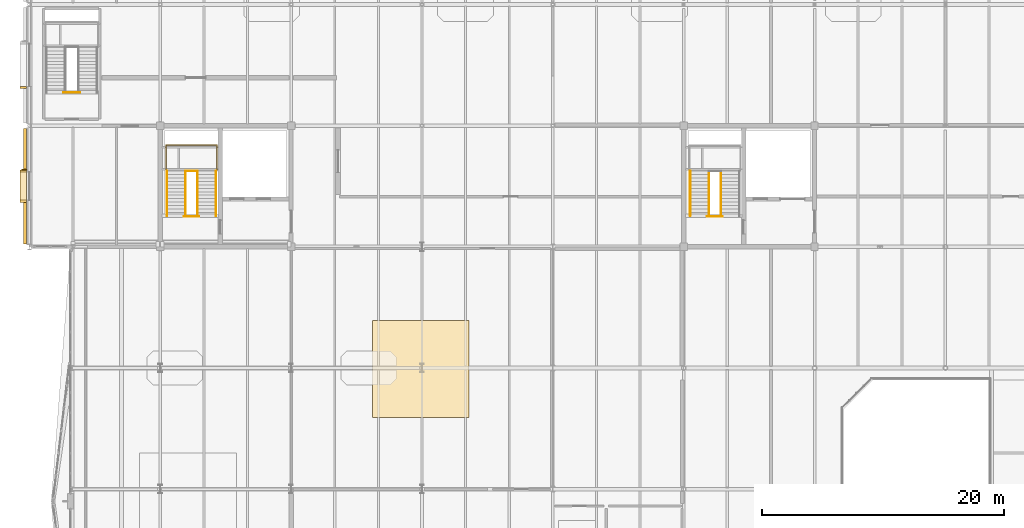
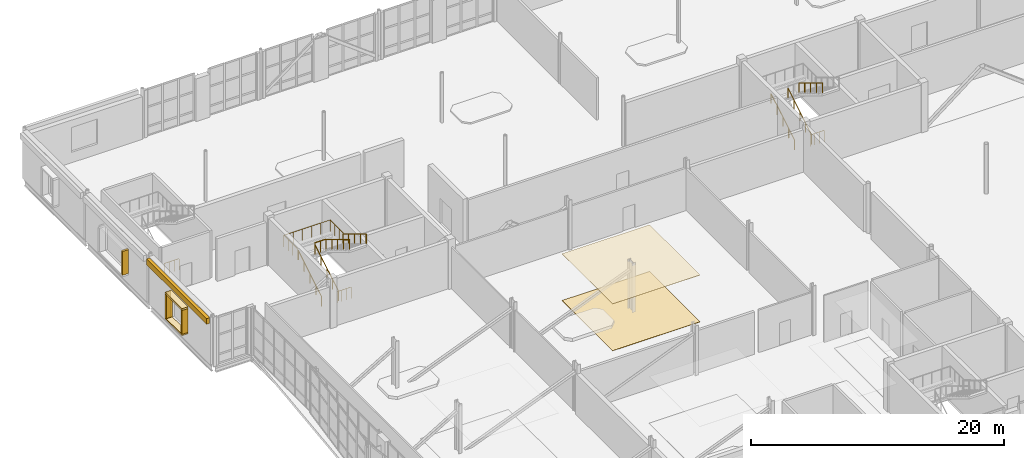
# One storey, part 96 of 100: 12 railings, 8 coverings, 1 shading device.
"""IFC4 building model written with IfcOpenShell, lengths in metres."""

from ifc_helpers import new_model, si_unit, direction, frame, origin, origin_2d, place, context, subcontext, project, spatial, rectangle, circle, extrude, material, layer, layer_set, type_object, element, save


model = new_model("IFC4")

# Units and contexts
model_context = context("Model", 3, precision=1e-05, world=origin(), true_north=direction((0.0, 1.0)))
body_context = subcontext(model_context, "Body", "Model", "MODEL_VIEW")
ifc_project = project(units=[si_unit("LENGTHUNIT", "METRE"), si_unit("AREAUNIT", "SQUARE_METRE"), si_unit("VOLUMEUNIT", "CUBIC_METRE"), si_unit("PLANEANGLEUNIT", "RADIAN"), si_unit("MASSUNIT", "GRAM", prefix="KILO")], contexts=[model_context])

# Site, building, storey
site_placement = place(None, origin())
site = spatial("IfcSite", under=ifc_project, at=site_placement, CompositionType="ELEMENT")
building_placement = place(site_placement, origin())
building = spatial("IfcBuilding", under=site, at=building_placement, Name="Tasgan Crest Museum", CompositionType="ELEMENT")
storey_placement = place(building_placement, frame((0.0, 0.0, 9.60009765625)))
storey = spatial("IfcBuildingStorey", under=building, at=storey_placement, Name="L02", CompositionType="ELEMENT", Elevation=9.60009765625)

# Coverings
ifc_material_1 = material(Name="Perforated Gypsum Acoustic Ceiling")
ifc_layer_1 = layer(ifc_material_1, 0.034912109375, Name="COV-CEIL-ACOUST")
ifc_layer_set_1 = layer_set([ifc_layer_1], Name="Perforated Gypsum Acoustic Ceiling")
covering_type_1 = type_object("IfcCoveringType", Name="COV-CEIL-ACOUST", PredefinedType="CEILING", material=ifc_layer_set_1)
covering_1_placement = place(storey_placement, frame((32.300048828125, 71.89990234375, 4.5048828125), z_axis=(0.0, 0.0, 1.0), x_axis=(1.0, 0.0, 0.0)))
element("IfcCovering", 1, at=covering_1_placement, inside=storey, type_object=covering_type_1, Name="Sauropod Footprint Fossil Gallery acoustic ceiling", PredefinedType="CEILING", context=body_context, shape_type="SweptSolid", body=[
    extrude(rectangle(XDim=8.0, YDim=8.0, at=origin_2d()), origin(), (0.0, 0.0, 1.0), 0.034912109375),
])
ifc_material_2 = material(Name="Engineered Steppe Oak Parquet")
ifc_layer_2 = layer(ifc_material_2, 0.02490234375, Name="COV-FLOOR-OAK")
ifc_layer_set_2 = layer_set([ifc_layer_2], Name="Engineered Steppe Oak Parquet")
covering_type_2 = type_object("IfcCoveringType", Name="COV-FLOOR-OAK", PredefinedType="FLOORING", material=ifc_layer_set_2)
covering_2_placement = place(storey_placement, frame((32.300048828125, 71.89990234375, 0.0), z_axis=(0.0, 0.0, 1.0), x_axis=(1.0, 0.0, 0.0)))
element("IfcCovering", 2, at=covering_2_placement, inside=storey, type_object=covering_type_2, Name="Sauropod Footprint Fossil Gallery floor finish", PredefinedType="FLOORING", context=body_context, shape_type="SweptSolid", body=[
    extrude(rectangle(XDim=8.0, YDim=8.0, at=origin_2d()), origin(), (0.0, 0.0, 1.0), 0.02490234375),
])
ifc_material_3 = material(Name="Honed Rose-Red Mongolian Granite", Category="masonry")
ifc_layer_3 = layer(ifc_material_3, 0.0400390625, Name="COV-GRANITE-ROSE")
ifc_layer_set_3 = layer_set([ifc_layer_3], Name="Honed Rose-Red Mongolian Granite")
covering_type_3 = type_object("IfcCoveringType", Name="COV-GRANITE-ROSE", PredefinedType="CLADDING", material=ifc_layer_set_3)
for number, where, z_axis, x_axis, name in (
    (3, (-0.5, 95.159912109375, 1.0), (0.0, 0.0, 1.0), (0.0, -1.0, 0.0), "Deep window reveal jamb L02-046"),
    (4, (-0.5, 88.24609375, 1.0), (0.0, 0.0, 1.0), (0.0, -1.0, 0.0), "Deep window reveal jamb L02-047"),
    (5, (-0.5, 85.76611328125, 1.0), (0.0, 0.0, 1.0), (0.0, -1.0, 0.0), "Deep window reveal jamb L02-047"),
):
    element("IfcCovering", number, at=place(storey_placement, frame(where, z_axis=z_axis, x_axis=x_axis)), inside=storey, type_object=covering_type_3, Name=name, PredefinedType="CLADDING", context=body_context, shape_type="SweptSolid", body=[
        extrude(rectangle(XDim=0.179931640625, YDim=0.550048828125, at=origin_2d()), origin(), (0.0, 0.0, 1.0), 2.300048828125),
    ])
ifc_material_4 = material(Name="Honed Buff Limestone", Category="masonry")
ifc_layer_4 = layer(ifc_material_4, 0.044921875, Name="COV-LIMESTONE-BUFF")
ifc_layer_set_4 = layer_set([ifc_layer_4], Name="Honed Buff Limestone")
covering_type_4 = type_object("IfcCoveringType", Name="COV-LIMESTONE-BUFF", PredefinedType="CLADDING", material=ifc_layer_set_4)
covering_3_placement = place(storey_placement, frame((-0.364990234375, 87.0, 3.9599609375), z_axis=(0.0, 0.0, 1.0), x_axis=(0.0, -1.0, 0.0)))
element("IfcCovering", 6, at=covering_3_placement, inside=storey, type_object=covering_type_4, Name="Stone frieze cladding L02", PredefinedType="CLADDING", context=body_context, shape_type="SweptSolid", body=[
    extrude(rectangle(XDim=9.5224609375, YDim=0.280029296875, at=origin_2d()), origin(), (0.0, 0.0, 1.0), 0.550048828125),
])
covering_4_placement = place(storey_placement, frame((-0.5, 87.006103515625, 3.2998046875), z_axis=(0.0, 0.0, 1.0), x_axis=(0.0, -1.0, 0.0)))
element("IfcCovering", 7, at=covering_4_placement, inside=storey, type_object=covering_type_4, Name="Deep window hood L02-047", PredefinedType="CLADDING", context=body_context, shape_type="SweptSolid", body=[
    extrude(rectangle(XDim=2.659912109375, YDim=0.550048828125, at=origin_2d()), origin(), (0.0, 0.0, 1.0), 0.179931640625),
])
covering_5_placement = place(storey_placement, frame((-0.5, 87.006103515625, 0.85986328125), z_axis=(0.0, 0.0, 1.0), x_axis=(0.0, -1.0, 0.0)))
element("IfcCovering", 8, at=covering_5_placement, inside=storey, type_object=covering_type_4, Name="Deep window sill L02-047", PredefinedType="CLADDING", context=body_context, shape_type="SweptSolid", body=[
    extrude(rectangle(XDim=2.659912109375, YDim=0.550048828125, at=origin_2d()), origin(), (0.0, 0.0, 1.0), 0.139892578125),
])

# Railings
ifc_material_5 = material(Name="Brushed Bronze and Toughened Glass", Category="glass")
railing_type_1 = type_object("IfcRailingType", Name="RL-INT-GUARD-1120", PredefinedType="GUARDRAIL", material=ifc_material_5)
railing_1_placement = place(storey_placement, frame((12.739990234375, 84.52001953125, 0.0)))
element("IfcRailing", 9, at=railing_1_placement, inside=storey, type_object=railing_type_1, Name="North-West Gallery Core floor slot guard L02", PredefinedType="GUARDRAIL", context=body_context, shape_type="SweptSolid", body=[
    extrude(circle(Radius=0.02392578125, at=origin_2d()), frame((0.0, 0.0, 1.09619140625), z_axis=(1.0, 0.0, 0.0), x_axis=(0.0, 1.0, 0.0)), (0.0, 0.0, 1.0), 1.27001953125),
    extrude(circle(Radius=0.02099609375, at=origin_2d()), origin(), (0.0, 0.0, 1.0), 1.072021484375),
    extrude(circle(Radius=0.02099609375, at=origin_2d()), frame((0.42333984375, 0.0, 0.0)), (0.0, 0.0, 1.0), 1.072021484375),
    extrude(circle(Radius=0.02099609375, at=origin_2d()), frame((0.8466796875, 0.0, 0.0)), (0.0, 0.0, 1.0), 1.072021484375),
    extrude(circle(Radius=0.02099609375, at=origin_2d()), frame((1.27001953125, 0.0, 0.0)), (0.0, 0.0, 1.0), 1.072021484375),
])
railing_2_placement = place(storey_placement, frame((12.8798828125, 88.27490234375, 2.39990234375)))
element("IfcRailing", 10, at=railing_2_placement, inside=storey, type_object=railing_type_1, Name="Stair half-landing well guard ST-NW-L02 T1", PredefinedType="GUARDRAIL", context=body_context, shape_type="SweptSolid", body=[
    extrude(circle(Radius=0.02392578125, at=origin_2d()), frame((0.0, 0.0, 1.09619140625), z_axis=(1.0, 0.0, 0.0), x_axis=(0.0, 1.0, 0.0)), (0.0, 0.0, 1.0), 0.990234375),
    extrude(circle(Radius=0.02099609375, at=origin_2d()), origin(), (0.0, 0.0, 1.0), 1.072021484375),
    extrude(circle(Radius=0.02099609375, at=origin_2d()), frame((0.4951171875, 0.0, 0.0)), (0.0, 0.0, 1.0), 1.072021484375),
    extrude(circle(Radius=0.02099609375, at=origin_2d()), frame((0.990234375, 0.0, 0.0)), (0.0, 0.0, 1.0), 1.072021484375),
])
railing_3_placement = place(storey_placement, frame((11.260009765625, 88.294921875, 2.39990234375)))
element("IfcRailing", 11, at=railing_3_placement, inside=storey, type_object=railing_type_1, Name="Stair half-landing perimeter guard ST-NW-L02 T1", PredefinedType="GUARDRAIL", context=body_context, shape_type="SweptSolid", body=[
    extrude(circle(Radius=0.02392578125, at=origin_2d()), frame((0.0, 0.0, 1.09619140625), z_axis=(0.0, 1.0, 0.0), x_axis=(-1.0, 0.0, 0.0)), (0.0, 0.0, 1.0), 2.10009765625),
    extrude(circle(Radius=0.02392578125, at=origin_2d()), frame((0.0, 2.10009765625, 1.09619140625), z_axis=(1.0, 0.0, 0.0), x_axis=(0.0, 1.0, 0.0)), (0.0, 0.0, 1.0), 4.22998046875),
    extrude(circle(Radius=0.02392578125, at=origin_2d()), frame((4.22998046875, 2.10009765625, 1.09619140625), z_axis=(0.0, -1.0, 0.0), x_axis=(1.0, 0.0, 0.0)), (0.0, 0.0, 1.0), 2.10009765625),
    extrude(circle(Radius=0.02099609375, at=origin_2d()), origin(), (0.0, 0.0, 1.0), 1.072021484375),
    extrude(circle(Radius=0.02099609375, at=origin_2d()), frame((0.0, 0.699951171875, 0.0)), (0.0, 0.0, 1.0), 1.072021484375),
    extrude(circle(Radius=0.02099609375, at=origin_2d()), frame((0.0, 1.400146484375, 0.0)), (0.0, 0.0, 1.0), 1.072021484375),
    extrude(circle(Radius=0.02099609375, at=origin_2d()), frame((0.0, 2.10009765625, 0.0)), (0.0, 0.0, 1.0), 1.072021484375),
    extrude(circle(Radius=0.02099609375, at=origin_2d()), frame((0.845947265625, 2.10009765625, 0.0)), (0.0, 0.0, 1.0), 1.072021484375),
    extrude(circle(Radius=0.02099609375, at=origin_2d()), frame((1.69189453125, 2.10009765625, 0.0)), (0.0, 0.0, 1.0), 1.072021484375),
    extrude(circle(Radius=0.02099609375, at=origin_2d()), frame((2.5380859375, 2.10009765625, 0.0)), (0.0, 0.0, 1.0), 1.072021484375),
    extrude(circle(Radius=0.02099609375, at=origin_2d()), frame((3.384033203125, 2.10009765625, 0.0)), (0.0, 0.0, 1.0), 1.072021484375),
    extrude(circle(Radius=0.02099609375, at=origin_2d()), frame((4.22998046875, 2.10009765625, 0.0)), (0.0, 0.0, 1.0), 1.072021484375),
    extrude(circle(Radius=0.02099609375, at=origin_2d()), frame((4.22998046875, 1.400146484375, 0.0)), (0.0, 0.0, 1.0), 1.072021484375),
    extrude(circle(Radius=0.02099609375, at=origin_2d()), frame((4.22998046875, 0.699951171875, 0.0)), (0.0, 0.0, 1.0), 1.072021484375),
    extrude(circle(Radius=0.02099609375, at=origin_2d()), frame((4.22998046875, 0.0, 0.0)), (0.0, 0.0, 1.0), 1.072021484375),
])
railing_4_placement = place(storey_placement, frame((55.93994140625, 84.52001953125, 0.0)))
element("IfcRailing", 12, at=railing_4_placement, inside=storey, type_object=railing_type_1, Name="North-Central Sawtooth Core floor slot guard L02", PredefinedType="GUARDRAIL", context=body_context, shape_type="SweptSolid", body=[
    extrude(circle(Radius=0.02392578125, at=origin_2d()), frame((0.0, 0.0, 1.09619140625), z_axis=(1.0, 0.0, 0.0), x_axis=(0.0, 1.0, 0.0)), (0.0, 0.0, 1.0), 1.27001953125),
    extrude(circle(Radius=0.02099609375, at=origin_2d()), origin(), (0.0, 0.0, 1.0), 1.072021484375),
    extrude(circle(Radius=0.02099609375, at=origin_2d()), frame((0.42333984375, 0.0, 0.0)), (0.0, 0.0, 1.0), 1.072021484375),
    extrude(circle(Radius=0.02099609375, at=origin_2d()), frame((0.8466796875, 0.0, 0.0)), (0.0, 0.0, 1.0), 1.072021484375),
    extrude(circle(Radius=0.02099609375, at=origin_2d()), frame((1.27001953125, 0.0, 0.0)), (0.0, 0.0, 1.0), 1.072021484375),
])
railing_5_placement = place(storey_placement, frame((2.820068359375, 94.719970703125, 0.0)))
element("IfcRailing", 13, at=railing_5_placement, inside=storey, type_object=railing_type_1, Name="GALW floor slot guard L02", PredefinedType="GUARDRAIL", context=body_context, shape_type="SweptSolid", body=[
    extrude(circle(Radius=0.02392578125, at=origin_2d()), frame((0.0, 0.0, 1.09619140625), z_axis=(1.0, 0.0, 0.0), x_axis=(0.0, 1.0, 0.0)), (0.0, 0.0, 1.0), 1.35986328125),
    extrude(circle(Radius=0.02099609375, at=origin_2d()), origin(), (0.0, 0.0, 1.0), 1.072021484375),
    extrude(circle(Radius=0.02099609375, at=origin_2d()), frame((0.453369140625, 0.0, 0.0)), (0.0, 0.0, 1.0), 1.072021484375),
    extrude(circle(Radius=0.02099609375, at=origin_2d()), frame((0.906494140625, 0.0, 0.0)), (0.0, 0.0, 1.0), 1.072021484375),
    extrude(circle(Radius=0.02099609375, at=origin_2d()), frame((1.35986328125, 0.0, 0.0)), (0.0, 0.0, 1.0), 1.072021484375),
])
ifc_material_6 = material(Name="Brushed Stainless Steel", Category="steel")
railing_type_2 = type_object("IfcRailingType", Name="RL-STAIR-HAND-920", PredefinedType="HANDRAIL", material=ifc_material_6)
for number, where, name in (
    (14, (11.340087890625, 84.550048828125, 0.17138671875), "Stair handrail STAIR-CORE-NW-L02-F1 L"),
    (15, (12.8798828125, 84.550048828125, 0.17138671875), "Stair handrail STAIR-CORE-NW-L02-F1 R"),
):
    element("IfcRailing", number, at=place(storey_placement, frame(where)), inside=storey, type_object=railing_type_2, Name=name, PredefinedType="HANDRAIL", context=body_context, shape_type="SweptSolid", body=[
        extrude(circle(Radius=0.02392578125, at=origin_2d()), frame((0.0, 0.0, 0.89599609375), z_axis=(0.0, 0.856919398105, 0.515450429384), x_axis=(-1.0, 0.0, 0.0)), (0.0, 0.0, 1.0), 4.323486328125),
        extrude(circle(Radius=0.02099609375, at=origin_2d()), origin(), (0.0, 0.0, 1.0), 0.871826171875),
        extrude(circle(Radius=0.02099609375, at=origin_2d()), frame((0.0, 0.92626953125, 0.55712890625)), (0.0, 0.0, 1.0), 0.871826171875),
        extrude(circle(Radius=0.02099609375, at=origin_2d()), frame((0.0, 1.8525390625, 1.1142578125)), (0.0, 0.0, 1.0), 0.871826171875),
        extrude(circle(Radius=0.02099609375, at=origin_2d()), frame((0.0, 2.778564453125, 1.67138671875)), (0.0, 0.0, 1.0), 0.871826171875),
        extrude(circle(Radius=0.02099609375, at=origin_2d()), frame((0.0, 3.704833984375, 2.228515625)), (0.0, 0.0, 1.0), 0.871826171875),
    ])
for number, where, name in (
    (16, (15.409912109375, 88.2548828125, 2.5712890625), "Stair handrail STAIR-CORE-NW-L02-F2 L"),
    (17, (13.8701171875, 88.2548828125, 2.5712890625), "Stair handrail STAIR-CORE-NW-L02-F2 R"),
):
    element("IfcRailing", number, at=place(storey_placement, frame(where)), inside=storey, type_object=railing_type_2, Name=name, PredefinedType="HANDRAIL", context=body_context, shape_type="SweptSolid", body=[
        extrude(circle(Radius=0.02392578125, at=origin_2d()), frame((0.0, 0.0, 0.89599609375), z_axis=(0.0, -0.856919398105, 0.515450429384), x_axis=(1.0, 0.0, 0.0)), (0.0, 0.0, 1.0), 4.323486328125),
        extrude(circle(Radius=0.02099609375, at=origin_2d()), origin(), (0.0, 0.0, 1.0), 0.871826171875),
        extrude(circle(Radius=0.02099609375, at=origin_2d()), frame((0.0, -0.92626953125, 0.55712890625)), (0.0, 0.0, 1.0), 0.871826171875),
        extrude(circle(Radius=0.02099609375, at=origin_2d()), frame((0.0, -1.8525390625, 1.1142578125)), (0.0, 0.0, 1.0), 0.871826171875),
        extrude(circle(Radius=0.02099609375, at=origin_2d()), frame((0.0, -2.778564453125, 1.67138671875)), (0.0, 0.0, 1.0), 0.871826171875),
        extrude(circle(Radius=0.02099609375, at=origin_2d()), frame((0.0, -3.704833984375, 2.228515625)), (0.0, 0.0, 1.0), 0.871826171875),
    ])
for number, where, name in (
    (18, (54.5400390625, 84.550048828125, 0.17138671875), "Stair handrail STAIR-CORE-NC-L02-F1 L"),
    (19, (56.080078125, 84.550048828125, 0.17138671875), "Stair handrail STAIR-CORE-NC-L02-F1 R"),
):
    element("IfcRailing", number, at=place(storey_placement, frame(where)), inside=storey, type_object=railing_type_2, Name=name, PredefinedType="HANDRAIL", context=body_context, shape_type="SweptSolid", body=[
        extrude(circle(Radius=0.02392578125, at=origin_2d()), frame((0.0, 0.0, 0.89599609375), z_axis=(0.0, 0.856919398105, 0.515450429384), x_axis=(-1.0, 0.0, 0.0)), (0.0, 0.0, 1.0), 4.323486328125),
        extrude(circle(Radius=0.02099609375, at=origin_2d()), origin(), (0.0, 0.0, 1.0), 0.871826171875),
        extrude(circle(Radius=0.02099609375, at=origin_2d()), frame((0.0, 0.92626953125, 0.55712890625)), (0.0, 0.0, 1.0), 0.871826171875),
        extrude(circle(Radius=0.02099609375, at=origin_2d()), frame((0.0, 1.8525390625, 1.1142578125)), (0.0, 0.0, 1.0), 0.871826171875),
        extrude(circle(Radius=0.02099609375, at=origin_2d()), frame((0.0, 2.778564453125, 1.67138671875)), (0.0, 0.0, 1.0), 0.871826171875),
        extrude(circle(Radius=0.02099609375, at=origin_2d()), frame((0.0, 3.704833984375, 2.228515625)), (0.0, 0.0, 1.0), 0.871826171875),
    ])
railing_6_placement = place(storey_placement, frame((57.070068359375, 88.2548828125, 2.5712890625)))
element("IfcRailing", 20, at=railing_6_placement, inside=storey, type_object=railing_type_2, Name="Stair handrail STAIR-CORE-NC-L02-F2 R", PredefinedType="HANDRAIL", context=body_context, shape_type="SweptSolid", body=[
    extrude(circle(Radius=0.02392578125, at=origin_2d()), frame((0.0, 0.0, 0.89599609375), z_axis=(0.0, -0.856919398105, 0.515450429384), x_axis=(1.0, 0.0, 0.0)), (0.0, 0.0, 1.0), 4.323486328125),
    extrude(circle(Radius=0.02099609375, at=origin_2d()), origin(), (0.0, 0.0, 1.0), 0.871826171875),
    extrude(circle(Radius=0.02099609375, at=origin_2d()), frame((0.0, -0.92626953125, 0.55712890625)), (0.0, 0.0, 1.0), 0.871826171875),
    extrude(circle(Radius=0.02099609375, at=origin_2d()), frame((0.0, -1.8525390625, 1.1142578125)), (0.0, 0.0, 1.0), 0.871826171875),
    extrude(circle(Radius=0.02099609375, at=origin_2d()), frame((0.0, -2.778564453125, 1.67138671875)), (0.0, 0.0, 1.0), 0.871826171875),
    extrude(circle(Radius=0.02099609375, at=origin_2d()), frame((0.0, -3.704833984375, 2.228515625)), (0.0, 0.0, 1.0), 0.871826171875),
])

# Shading device
ifc_material_7 = material(Name="Anodised Bronze Aluminium", Category="aluminium")
shading_device_type = type_object("IfcShadingDeviceType", Name="SH-FIN-V400", PredefinedType="JALOUSIE", material=ifc_material_7)
shading_device_placement = place(storey_placement, frame((-0.43505859375, 88.376220703125, 0.89990234375), z_axis=(0.0, 0.0, 1.0), x_axis=(0.0, -1.0, 0.0)))
element("IfcShadingDevice", 21, at=shading_device_placement, inside=storey, type_object=shading_device_type, Name="Solar shading fin L02-047", PredefinedType="JALOUSIE", context=body_context, shape_type="SweptSolid", body=[
    extrude(rectangle(XDim=0.080078125, YDim=0.419921875, at=origin_2d()), origin(), (0.0, 0.0, 1.0), 2.5),
])

save(model, "model.ifc")
